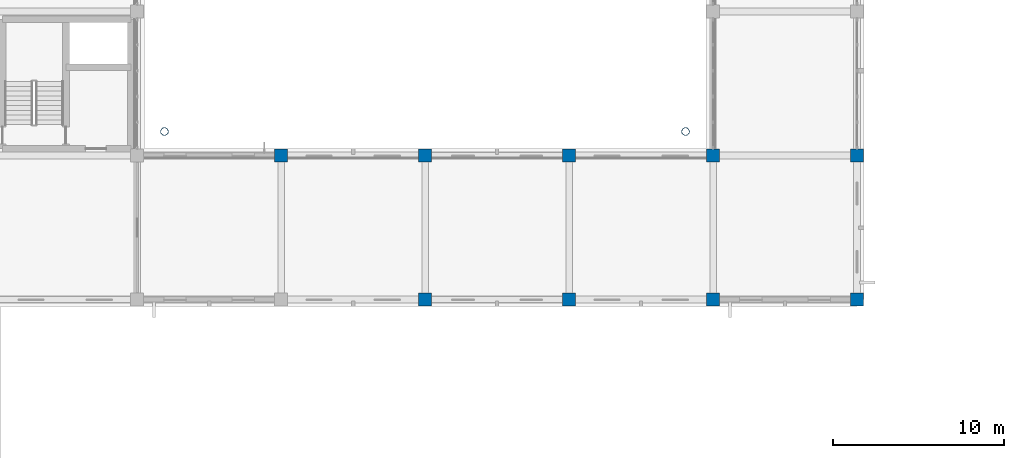
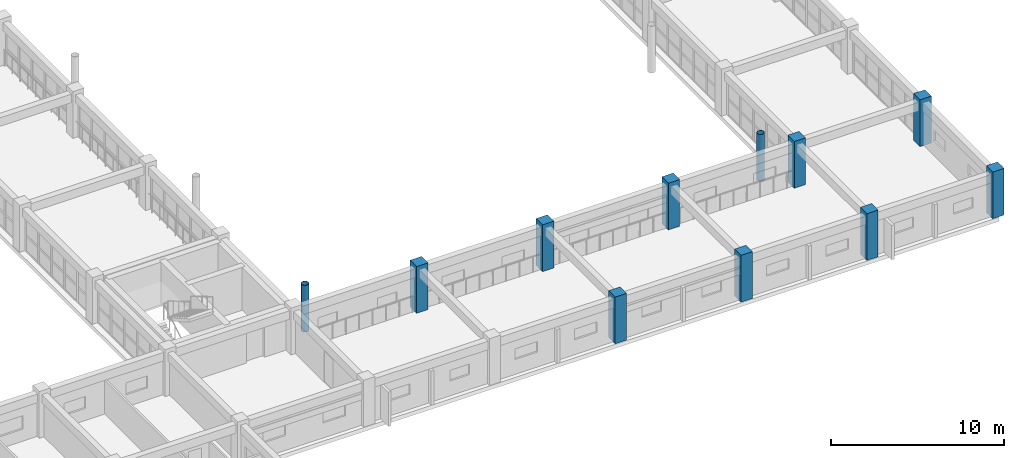
# One storey, part 22 of 200: 11 columns.
"""IFC4 building model written with IfcOpenShell, lengths in metres."""

from ifc_helpers import new_model, si_unit, direction, frame, origin, origin_2d, place, context, subcontext, project, spatial, rectangle, hollow_circle, extrude, material, material_profile, profile_set, type_object, element, save


model = new_model("IFC4")

# Units and contexts
model_context = context("Model", 3, precision=1e-05, world=origin(), true_north=direction((0.0, 1.0)))
body_context = subcontext(model_context, "Body", "Model", "MODEL_VIEW")
ifc_project = project(units=[si_unit("LENGTHUNIT", "METRE"), si_unit("AREAUNIT", "SQUARE_METRE"), si_unit("VOLUMEUNIT", "CUBIC_METRE"), si_unit("PLANEANGLEUNIT", "RADIAN"), si_unit("MASSUNIT", "GRAM", prefix="KILO")], contexts=[model_context])

# Site, building, storey
site_placement = place(None, origin())
site = spatial("IfcSite", under=ifc_project, at=site_placement, CompositionType="ELEMENT")
building_placement = place(site_placement, origin())
building = spatial("IfcBuilding", under=site, at=building_placement, Name="Trelvath General Hospital", CompositionType="ELEMENT")
storey_placement = place(building_placement, frame((0.0, 0.0, 4.800048828125)))
storey = spatial("IfcBuildingStorey", under=building, at=storey_placement, Name="L01", CompositionType="ELEMENT", Elevation=4.800048828125)

# Columns
ifc_material_1 = material(Name="Concrete C40/50", Category="concrete")
ifc_material_profile_1 = material_profile(ifc_material_1, rectangle(XDim=0.75, YDim=0.75, at=origin_2d()), Name="RC750x750")
ifc_profile_set_1 = profile_set([ifc_material_profile_1], Name="Concrete C40/50")
column_type_1 = type_object("IfcColumnType", Name="Column RC750", PredefinedType="COLUMN", material=ifc_profile_set_1)
for number, where, z_axis, x_axis, name in (
    (1, (151.199951171875, 25.199951171875, 0.0), (0.0, 0.0, 1.0), (1.0, 0.0, 0.0), "Column C-19D L01"),
    (2, (159.60009765625, 16.800048828125, 0.0), (0.0, 0.0, 1.0), (1.0, 0.0, 0.0), "Column C-20C L01"),
    (3, (159.60009765625, 25.199951171875, 0.0), (0.0, 0.0, 1.0), (1.0, 0.0, 0.0), "Column C-20D L01"),
    (4, (168.0, 16.800048828125, 0.0), (0.0, 0.0, 1.0), (1.0, 0.0, 0.0), "Column C-21C L01"),
    (5, (168.0, 25.199951171875, 0.0), (0.0, 0.0, 1.0), (1.0, 0.0, 0.0), "Column C-21D L01"),
    (6, (176.39990234375, 16.800048828125, 0.0), (0.0, 0.0, 1.0), (1.0, 0.0, 0.0), "Column C-22C L01"),
    (7, (176.39990234375, 25.199951171875, 0.0), (0.0, 0.0, 1.0), (1.0, 0.0, 0.0), "Column C-22D L01"),
    (8, (184.800048828125, 16.800048828125, 0.0), (0.0, 0.0, 1.0), (1.0, 0.0, 0.0), "Column C-23C L01"),
    (9, (184.800048828125, 25.199951171875, 0.0), (0.0, 0.0, 1.0), (1.0, 0.0, 0.0), "Column C-23D L01"),
):
    element("IfcColumn", number, at=place(storey_placement, frame(where, z_axis=z_axis, x_axis=x_axis)), inside=storey, type_object=column_type_1, Name=name, PredefinedType="COLUMN", context=body_context, shape_type="SweptSolid", body=[
        extrude(rectangle(XDim=0.75, YDim=0.75, at=origin_2d()), origin(), (0.0, 0.0, 1.0), 3.300048828125),
    ])
ifc_material_2 = material(Name="Steel S355", Category="steel")
ifc_material_profile_2 = material_profile(ifc_material_2, hollow_circle(Radius=0.228515625, WallThickness=0.01611328125, at=origin_2d()), Name="CHS457.0x16.0")
ifc_profile_set_2 = profile_set([ifc_material_profile_2], Name="Steel S355")
column_type_2 = type_object("IfcColumnType", Name="TreeColumn CHS457", PredefinedType="COLUMN", material=ifc_profile_set_2)
for number, where, z_axis, x_axis, name in (
    (10, (144.39990234375, 26.60009765625, 0.0), (0.0, 0.0, 1.0), (1.0, 0.0, 0.0), "Space Frame Tree Column TC-01 L01"),
    (11, (174.800048828125, 26.60009765625, 0.0), (0.0, 0.0, 1.0), (1.0, 0.0, 0.0), "Space Frame Tree Column TC-05 L01"),
):
    element("IfcColumn", number, at=place(storey_placement, frame(where, z_axis=z_axis, x_axis=x_axis)), inside=storey, type_object=column_type_2, Name=name, PredefinedType="COLUMN", context=body_context, shape_type="SweptSolid", body=[
        extrude(hollow_circle(Radius=0.228515625, WallThickness=0.01611328125, at=origin_2d()), origin(), (0.0, 0.0, 1.0), 3.300048828125),
    ])

save(model, "model.ifc")
